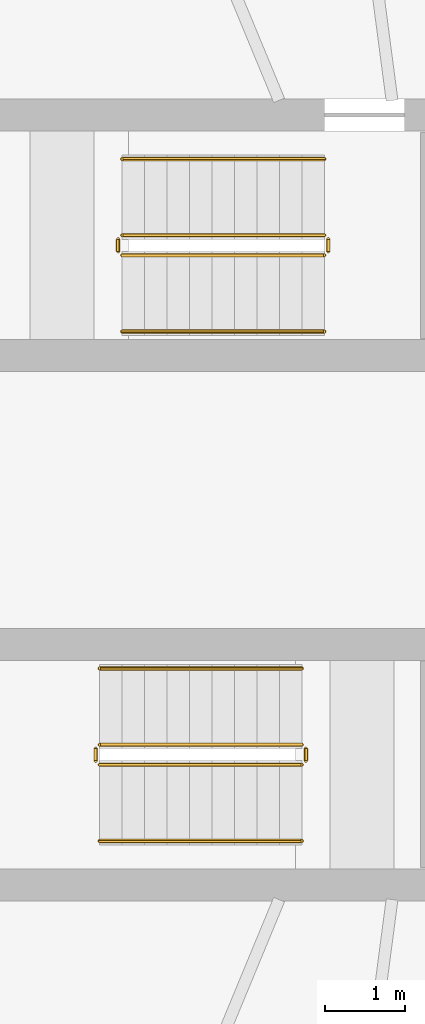
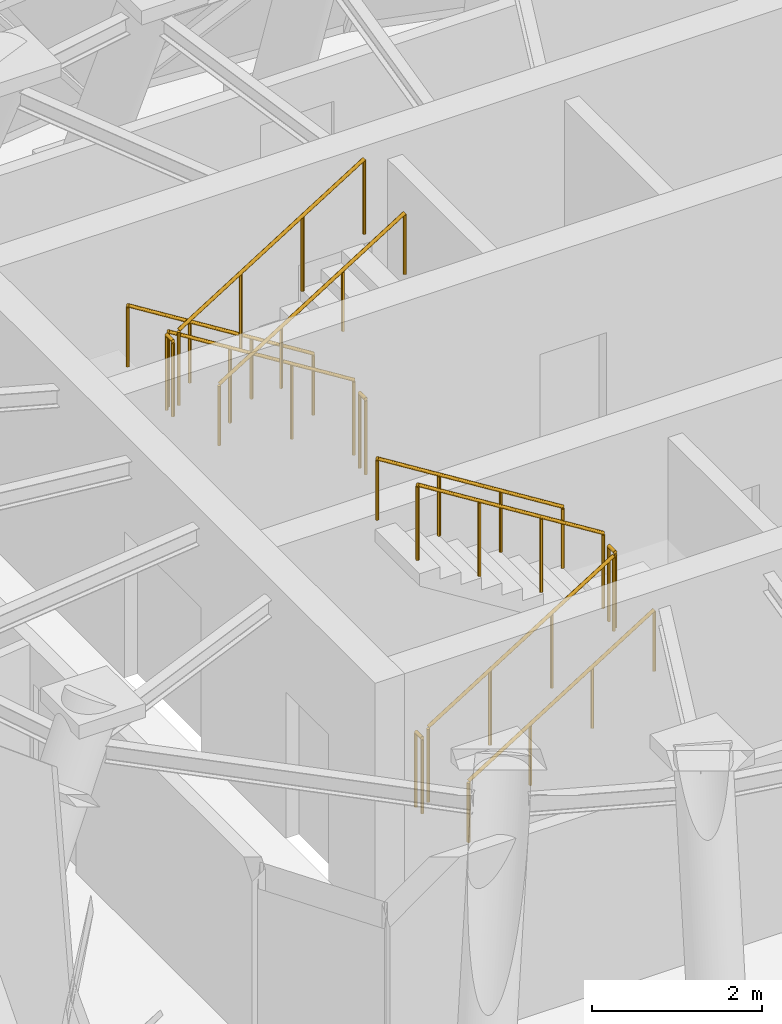
# One storey, part 8 of 8: 12 railings.
"""IFC4 building model written with IfcOpenShell, lengths in metres."""

from ifc_helpers import new_model, si_unit, direction, frame, origin, origin_2d, place, context, subcontext, project, spatial, circle, extrude, material, type_object, element, save


model = new_model("IFC4")

# Units and contexts
model_context = context("Model", 3, precision=1e-05, world=origin(), true_north=direction((0.0, 1.0)))
body_context = subcontext(model_context, "Body", "Model", "MODEL_VIEW")
ifc_project = project(units=[si_unit("LENGTHUNIT", "METRE"), si_unit("AREAUNIT", "SQUARE_METRE"), si_unit("VOLUMEUNIT", "CUBIC_METRE"), si_unit("PLANEANGLEUNIT", "RADIAN"), si_unit("MASSUNIT", "GRAM", prefix="KILO")], contexts=[model_context])

# Site, building, storey
site_placement = place(None, origin())
site = spatial("IfcSite", under=ifc_project, at=site_placement, CompositionType="ELEMENT")
building_placement = place(site_placement, origin())
building = spatial("IfcBuilding", under=site, at=building_placement, Name="Spindrift Exchange Tower", CompositionType="ELEMENT")
storey_placement = place(building_placement, frame((0.0, 0.0, 283.60009765625)))
storey = spatial("IfcBuildingStorey", under=building, at=storey_placement, Name="L70", CompositionType="ELEMENT", Elevation=283.60009765625)

# Railings
ifc_material_1 = material(Name="Steel balustrade", Category="steel")
railing_type_1 = type_object("IfcRailingType", Name="RL-STAIR-GUARD", PredefinedType="GUARDRAIL", material=ifc_material_1)
railing_1_placement = place(storey_placement, frame((50.5, 51.300048828125, 0.1748046875)))
element("IfcRailing", 1, at=railing_1_placement, inside=storey, type_object=railing_type_1, Name="L70 ST3 stair guard 1", PredefinedType="GUARDRAIL", context=body_context, shape_type="SweptSolid", body=[
    extrude(circle(Radius=0.02392578125, at=origin_2d()), frame((0.0, 0.0, 1.076171875), z_axis=(-0.847970611238, 0.0, 0.530043245855), x_axis=(0.0, -1.0, 0.0)), (0.0, 0.0, 1.0), 2.971923828125),
    extrude(circle(Radius=0.02099609375, at=origin_2d()), origin(), (0.0, 0.0, 1.0), 1.052001953125),
    extrude(circle(Radius=0.02099609375, at=origin_2d()), frame((-0.840087890625, 0.0, 0.525146484375)), (0.0, 0.0, 1.0), 1.052001953125),
    extrude(circle(Radius=0.02099609375, at=origin_2d()), frame((-1.679931640625, 0.0, 1.050048828125)), (0.0, 0.0, 1.0), 1.052001953125),
    extrude(circle(Radius=0.02099609375, at=origin_2d()), frame((-2.52001953125, 0.0, 1.5751953125)), (0.0, 0.0, 1.0), 1.052001953125),
])
railing_2_placement = place(storey_placement, frame((47.929931640625, 51.25, 1.75)))
element("IfcRailing", 2, at=railing_2_placement, inside=storey, type_object=railing_type_1, Name="L70 ST3 stair guard 2", PredefinedType="GUARDRAIL", context=body_context, shape_type="SweptSolid", body=[
    extrude(circle(Radius=0.02392578125, at=origin_2d()), frame((0.0, 0.0, 1.076171875), z_axis=(0.0, -1.0, 0.0), x_axis=(1.0, 0.0, 0.0)), (0.0, 0.0, 1.0), 0.14990234375),
    extrude(circle(Radius=0.02099609375, at=origin_2d()), origin(), (0.0, 0.0, 1.0), 1.052001953125),
    extrude(circle(Radius=0.02099609375, at=origin_2d()), frame((0.0, -0.14990234375, 0.0)), (0.0, 0.0, 1.0), 1.052001953125),
])
railing_3_placement = place(storey_placement, frame((47.97998046875, 51.050048828125, 1.9248046875)))
element("IfcRailing", 3, at=railing_3_placement, inside=storey, type_object=railing_type_1, Name="L70 ST3 stair guard 3", PredefinedType="GUARDRAIL", context=body_context, shape_type="SweptSolid", body=[
    extrude(circle(Radius=0.02392578125, at=origin_2d()), frame((0.0, 0.0, 1.076171875), z_axis=(0.847970611238, 0.0, 0.530043245855), x_axis=(0.0, 1.0, 0.0)), (0.0, 0.0, 1.0), 2.971923828125),
    extrude(circle(Radius=0.02099609375, at=origin_2d()), origin(), (0.0, 0.0, 1.0), 1.052001953125),
    extrude(circle(Radius=0.02099609375, at=origin_2d()), frame((0.840087890625, 0.0, 0.525146484375)), (0.0, 0.0, 1.0), 1.052001953125),
    extrude(circle(Radius=0.02099609375, at=origin_2d()), frame((1.679931640625, 0.0, 1.050048828125)), (0.0, 0.0, 1.0), 1.052001953125),
    extrude(circle(Radius=0.02099609375, at=origin_2d()), frame((2.52001953125, 0.0, 1.5751953125)), (0.0, 0.0, 1.0), 1.052001953125),
])
railing_4_placement = place(storey_placement, frame((50.550048828125, 51.25, 0.0)))
element("IfcRailing", 4, at=railing_4_placement, inside=storey, type_object=railing_type_1, Name="L70 ST3 stair guard 4", PredefinedType="GUARDRAIL", context=body_context, shape_type="SweptSolid", body=[
    extrude(circle(Radius=0.02392578125, at=origin_2d()), frame((0.0, 0.0, 1.076171875), z_axis=(0.0, -1.0, 0.0), x_axis=(1.0, 0.0, 0.0)), (0.0, 0.0, 1.0), 0.14990234375),
    extrude(circle(Radius=0.02099609375, at=origin_2d()), origin(), (0.0, 0.0, 1.0), 1.052001953125),
    extrude(circle(Radius=0.02099609375, at=origin_2d()), frame((0.0, -0.14990234375, 0.0)), (0.0, 0.0, 1.0), 1.052001953125),
])
railing_5_placement = place(storey_placement, frame((47.699951171875, 44.699951171875, 0.1748046875)))
element("IfcRailing", 5, at=railing_5_placement, inside=storey, type_object=railing_type_1, Name="L70 ST4 stair guard 1", PredefinedType="GUARDRAIL", context=body_context, shape_type="SweptSolid", body=[
    extrude(circle(Radius=0.02392578125, at=origin_2d()), frame((0.0, 0.0, 1.076171875), z_axis=(0.847970611238, 0.0, 0.530043245855), x_axis=(0.0, 1.0, 0.0)), (0.0, 0.0, 1.0), 2.971923828125),
    extrude(circle(Radius=0.02099609375, at=origin_2d()), origin(), (0.0, 0.0, 1.0), 1.052001953125),
    extrude(circle(Radius=0.02099609375, at=origin_2d()), frame((0.840087890625, 0.0, 0.525146484375)), (0.0, 0.0, 1.0), 1.052001953125),
    extrude(circle(Radius=0.02099609375, at=origin_2d()), frame((1.679931640625, 0.0, 1.050048828125)), (0.0, 0.0, 1.0), 1.052001953125),
    extrude(circle(Radius=0.02099609375, at=origin_2d()), frame((2.52001953125, 0.0, 1.5751953125)), (0.0, 0.0, 1.0), 1.052001953125),
])
railing_6_placement = place(storey_placement, frame((50.27001953125, 44.75, 1.75)))
element("IfcRailing", 6, at=railing_6_placement, inside=storey, type_object=railing_type_1, Name="L70 ST4 stair guard 2", PredefinedType="GUARDRAIL", context=body_context, shape_type="SweptSolid", body=[
    extrude(circle(Radius=0.02392578125, at=origin_2d()), frame((0.0, 0.0, 1.076171875), z_axis=(0.0, 1.0, 0.0), x_axis=(-1.0, 0.0, 0.0)), (0.0, 0.0, 1.0), 0.14990234375),
    extrude(circle(Radius=0.02099609375, at=origin_2d()), origin(), (0.0, 0.0, 1.0), 1.052001953125),
    extrude(circle(Radius=0.02099609375, at=origin_2d()), frame((0.0, 0.14990234375, 0.0)), (0.0, 0.0, 1.0), 1.052001953125),
])
railing_7_placement = place(storey_placement, frame((50.219970703125, 44.949951171875, 1.9248046875)))
element("IfcRailing", 7, at=railing_7_placement, inside=storey, type_object=railing_type_1, Name="L70 ST4 stair guard 3", PredefinedType="GUARDRAIL", context=body_context, shape_type="SweptSolid", body=[
    extrude(circle(Radius=0.02392578125, at=origin_2d()), frame((0.0, 0.0, 1.076171875), z_axis=(-0.847970611238, 0.0, 0.530043245855), x_axis=(0.0, -1.0, 0.0)), (0.0, 0.0, 1.0), 2.971923828125),
    extrude(circle(Radius=0.02099609375, at=origin_2d()), origin(), (0.0, 0.0, 1.0), 1.052001953125),
    extrude(circle(Radius=0.02099609375, at=origin_2d()), frame((-0.840087890625, 0.0, 0.525146484375)), (0.0, 0.0, 1.0), 1.052001953125),
    extrude(circle(Radius=0.02099609375, at=origin_2d()), frame((-1.679931640625, 0.0, 1.050048828125)), (0.0, 0.0, 1.0), 1.052001953125),
    extrude(circle(Radius=0.02099609375, at=origin_2d()), frame((-2.52001953125, 0.0, 1.5751953125)), (0.0, 0.0, 1.0), 1.052001953125),
])
railing_8_placement = place(storey_placement, frame((47.64990234375, 44.75, 0.0)))
element("IfcRailing", 8, at=railing_8_placement, inside=storey, type_object=railing_type_1, Name="L70 ST4 stair guard 4", PredefinedType="GUARDRAIL", context=body_context, shape_type="SweptSolid", body=[
    extrude(circle(Radius=0.02392578125, at=origin_2d()), frame((0.0, 0.0, 1.076171875), z_axis=(0.0, 1.0, 0.0), x_axis=(-1.0, 0.0, 0.0)), (0.0, 0.0, 1.0), 0.14990234375),
    extrude(circle(Radius=0.02099609375, at=origin_2d()), origin(), (0.0, 0.0, 1.0), 1.052001953125),
    extrude(circle(Radius=0.02099609375, at=origin_2d()), frame((0.0, 0.14990234375, 0.0)), (0.0, 0.0, 1.0), 1.052001953125),
])
ifc_material_2 = material(Name="Steel tubular handrail", Category="steel")
railing_type_2 = type_object("IfcRailingType", Name="RL-STAIR-HAND", PredefinedType="HANDRAIL", material=ifc_material_2)
railing_9_placement = place(storey_placement, frame((50.5, 52.25, 0.1748046875)))
element("IfcRailing", 9, at=railing_9_placement, inside=storey, type_object=railing_type_2, Name="L70 ST3 stair handrail 1", PredefinedType="HANDRAIL", context=body_context, shape_type="SweptSolid", body=[
    extrude(circle(Radius=0.02392578125, at=origin_2d()), frame((0.0, 0.0, 0.8759765625), z_axis=(-0.847970611238, 0.0, 0.530043245855), x_axis=(0.0, -1.0, 0.0)), (0.0, 0.0, 1.0), 2.971923828125),
    extrude(circle(Radius=0.02099609375, at=origin_2d()), origin(), (0.0, 0.0, 1.0), 0.851806640625),
    extrude(circle(Radius=0.02099609375, at=origin_2d()), frame((-0.840087890625, 0.0, 0.525146484375)), (0.0, 0.0, 1.0), 0.851806640625),
    extrude(circle(Radius=0.02099609375, at=origin_2d()), frame((-1.679931640625, 0.0, 1.050048828125)), (0.0, 0.0, 1.0), 0.851806640625),
    extrude(circle(Radius=0.02099609375, at=origin_2d()), frame((-2.52001953125, 0.0, 1.5751953125)), (0.0, 0.0, 1.0), 0.851806640625),
])
for number, where, name in (
    (10, (47.97998046875, 50.10009765625, 1.9248046875), "L70 ST3 stair handrail 2"),
    (11, (47.699951171875, 43.75, 0.1748046875), "L70 ST4 stair handrail 1"),
):
    element("IfcRailing", number, at=place(storey_placement, frame(where)), inside=storey, type_object=railing_type_2, Name=name, PredefinedType="HANDRAIL", context=body_context, shape_type="SweptSolid", body=[
        extrude(circle(Radius=0.02392578125, at=origin_2d()), frame((0.0, 0.0, 0.8759765625), z_axis=(0.847970611238, 0.0, 0.530043245855), x_axis=(0.0, 1.0, 0.0)), (0.0, 0.0, 1.0), 2.971923828125),
        extrude(circle(Radius=0.02099609375, at=origin_2d()), origin(), (0.0, 0.0, 1.0), 0.851806640625),
        extrude(circle(Radius=0.02099609375, at=origin_2d()), frame((0.840087890625, 0.0, 0.525146484375)), (0.0, 0.0, 1.0), 0.851806640625),
        extrude(circle(Radius=0.02099609375, at=origin_2d()), frame((1.679931640625, 0.0, 1.050048828125)), (0.0, 0.0, 1.0), 0.851806640625),
        extrude(circle(Radius=0.02099609375, at=origin_2d()), frame((2.52001953125, 0.0, 1.5751953125)), (0.0, 0.0, 1.0), 0.851806640625),
    ])
railing_10_placement = place(storey_placement, frame((50.219970703125, 45.89990234375, 1.9248046875)))
element("IfcRailing", 12, at=railing_10_placement, inside=storey, type_object=railing_type_2, Name="L70 ST4 stair handrail 2", PredefinedType="HANDRAIL", context=body_context, shape_type="SweptSolid", body=[
    extrude(circle(Radius=0.02392578125, at=origin_2d()), frame((0.0, 0.0, 0.8759765625), z_axis=(-0.847970611238, 0.0, 0.530043245855), x_axis=(0.0, -1.0, 0.0)), (0.0, 0.0, 1.0), 2.971923828125),
    extrude(circle(Radius=0.02099609375, at=origin_2d()), origin(), (0.0, 0.0, 1.0), 0.851806640625),
    extrude(circle(Radius=0.02099609375, at=origin_2d()), frame((-0.840087890625, 0.0, 0.525146484375)), (0.0, 0.0, 1.0), 0.851806640625),
    extrude(circle(Radius=0.02099609375, at=origin_2d()), frame((-1.679931640625, 0.0, 1.050048828125)), (0.0, 0.0, 1.0), 0.851806640625),
    extrude(circle(Radius=0.02099609375, at=origin_2d()), frame((-2.52001953125, 0.0, 1.5751953125)), (0.0, 0.0, 1.0), 0.851806640625),
])

save(model, "model.ifc")
